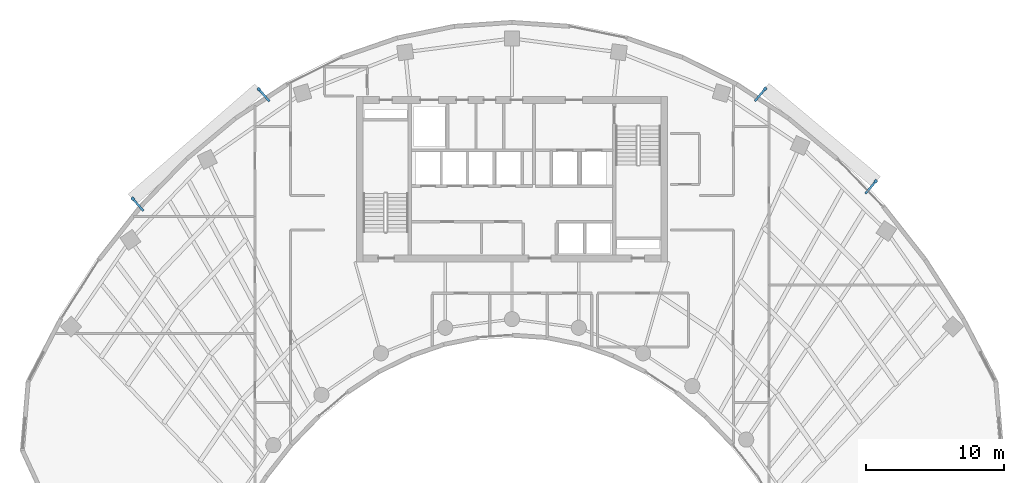
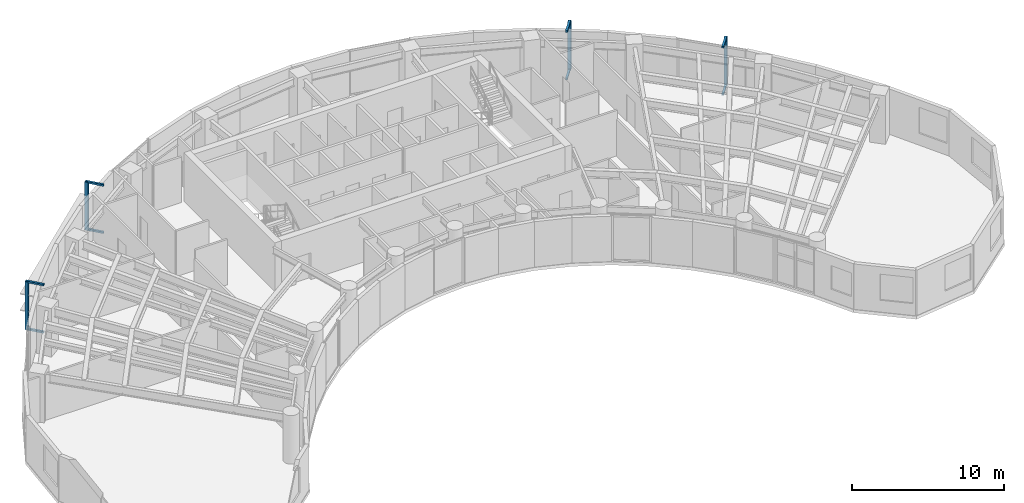
# One storey, part 11 of 13: 12 discrete accessories.
"""IFC4 building model written with IfcOpenShell, lengths in metres."""

from ifc_helpers import new_model, si_unit, direction, frame, origin, origin_2d, place, context, subcontext, project, spatial, rectangle, extrude, source, transform, mapped, material, type_object, type_shapes, element, save


model = new_model("IFC4")

# Units and contexts
model_context = context("Model", 3, precision=1e-05, world=origin(), true_north=direction((0.0, 1.0)))
body_context = subcontext(model_context, "Body", "Model", "MODEL_VIEW")
ifc_project = project(units=[si_unit("LENGTHUNIT", "METRE"), si_unit("AREAUNIT", "SQUARE_METRE"), si_unit("VOLUMEUNIT", "CUBIC_METRE"), si_unit("PLANEANGLEUNIT", "RADIAN"), si_unit("MASSUNIT", "GRAM", prefix="KILO")], contexts=[model_context])

# Site, building, storey
site_placement = place(None, origin())
site = spatial("IfcSite", under=ifc_project, at=site_placement, CompositionType="ELEMENT")
building_placement = place(site_placement, origin())
building = spatial("IfcBuilding", under=site, at=building_placement, Name="Breltana Convention Tower", CompositionType="ELEMENT")
storey_placement = place(building_placement, frame((0.0, 0.0, 142.800048828125)))
storey = spatial("IfcBuildingStorey", under=building, at=storey_placement, Name="L34", CompositionType="ELEMENT", Elevation=142.800048828125)

# Discrete accessories
ifc_material = material(Name="Steel S355", Category="steel")
discrete_accessory_type_1 = type_object("IfcDiscreteAccessoryType", Name="ACC-DSF-BRACKET-150", PredefinedType="BRACKET", material=ifc_material)
shared_shape_1 = source(origin(), body_context, "Body", "SweptSolid", [
    extrude(rectangle(XDim=1.239990234375, YDim=0.14990234375, at=origin_2d()), origin(), (0.0, 0.0, 1.0), 0.139892578125),
])
type_shapes(discrete_accessory_type_1, [shared_shape_1])
for number, where, z_axis, x_axis, name in (
    (1, (20.849853515625, 64.353271484375, -0.16015625), (0.0, 0.0, 1.0), (-0.65645558996, 0.754364672032, 0.0), "L34 double-skin slab stand-off bracket 1.1B"),
    (2, (20.849853515625, 64.353271484375, 3.64990234375), (0.0, 0.0, 1.0), (-0.65645558996, 0.754364672032, 0.0), "L34 double-skin slab stand-off bracket 1.1T"),
    (3, (29.988525390625, 72.305908203125, -0.16015625), (0.0, 0.0, 1.0), (-0.65645558996, 0.754364672032, 0.0), "L34 double-skin slab stand-off bracket 1.2B"),
    (4, (29.988525390625, 72.305908203125, 3.64990234375), (0.0, 0.0, 1.0), (-0.65645558996, 0.754364672032, 0.0), "L34 double-skin slab stand-off bracket 1.2T"),
    (5, (66.019287109375, 72.327880859375, -0.16015625), (0.0, 0.0, 1.0), (0.641989340657, 0.766713562214, 0.0), "L34 double-skin slab stand-off bracket 2.1B"),
    (6, (66.019287109375, 72.327880859375, 3.64990234375), (0.0, 0.0, 1.0), (0.641989340657, 0.766713562214, 0.0), "L34 double-skin slab stand-off bracket 2.1T"),
    (7, (74.037841796875, 65.61376953125, -0.16015625), (0.0, 0.0, 1.0), (0.641989340657, 0.766713562214, 0.0), "L34 double-skin slab stand-off bracket 2.2B"),
    (8, (74.037841796875, 65.61376953125, 3.64990234375), (0.0, 0.0, 1.0), (0.641989340657, 0.766713562214, 0.0), "L34 double-skin slab stand-off bracket 2.2T"),
):
    element("IfcDiscreteAccessory", number, at=place(storey_placement, frame(where, z_axis=z_axis, x_axis=x_axis)), inside=storey, type_object=discrete_accessory_type_1, Name=name, PredefinedType="BRACKET", context=body_context, shape_type="MappedRepresentation", body=[
        mapped(shared_shape_1, transform((0.0, 0.0, 0.0), scale=1.0)),
    ])
discrete_accessory_type_2 = type_object("IfcDiscreteAccessoryType", Name="ACC-DSF-CARRIER-150", PredefinedType="BRACKET", material=ifc_material)
shared_shape_2 = source(origin(), body_context, "Body", "SweptSolid", [
    extrude(rectangle(XDim=0.219970703125, YDim=0.219970703125, at=origin_2d()), origin(), (0.0, 0.0, 1.0), 3.8701171875),
])
for number, where, z_axis, x_axis, name in (
    (9, (20.482177734375, 64.77587890625, -0.1201171875), (0.0, 0.0, 1.0), (-0.65645558996, 0.754364672032, 0.0), "L34 double-skin outer vertical carrier 1.1"),
    (10, (29.620849609375, 72.728271484375, -0.1201171875), (0.0, 0.0, 1.0), (-0.65645558996, 0.754364672032, 0.0), "L34 double-skin outer vertical carrier 1.2"),
    (11, (66.37890625, 72.757080078125, -0.1201171875), (0.0, 0.0, 1.0), (0.641989340657, 0.766713562214, 0.0), "L34 double-skin outer vertical carrier 2.1"),
    (12, (74.3974609375, 66.043212890625, -0.1201171875), (0.0, 0.0, 1.0), (0.641989340657, 0.766713562214, 0.0), "L34 double-skin outer vertical carrier 2.2"),
):
    element("IfcDiscreteAccessory", number, at=place(storey_placement, frame(where, z_axis=z_axis, x_axis=x_axis)), inside=storey, type_object=discrete_accessory_type_2, Name=name, PredefinedType="BRACKET", context=body_context, shape_type="MappedRepresentation", body=[
        mapped(shared_shape_2, transform((0.0, 0.0, 0.0), scale=1.0)),
    ])

save(model, "model.ifc")
